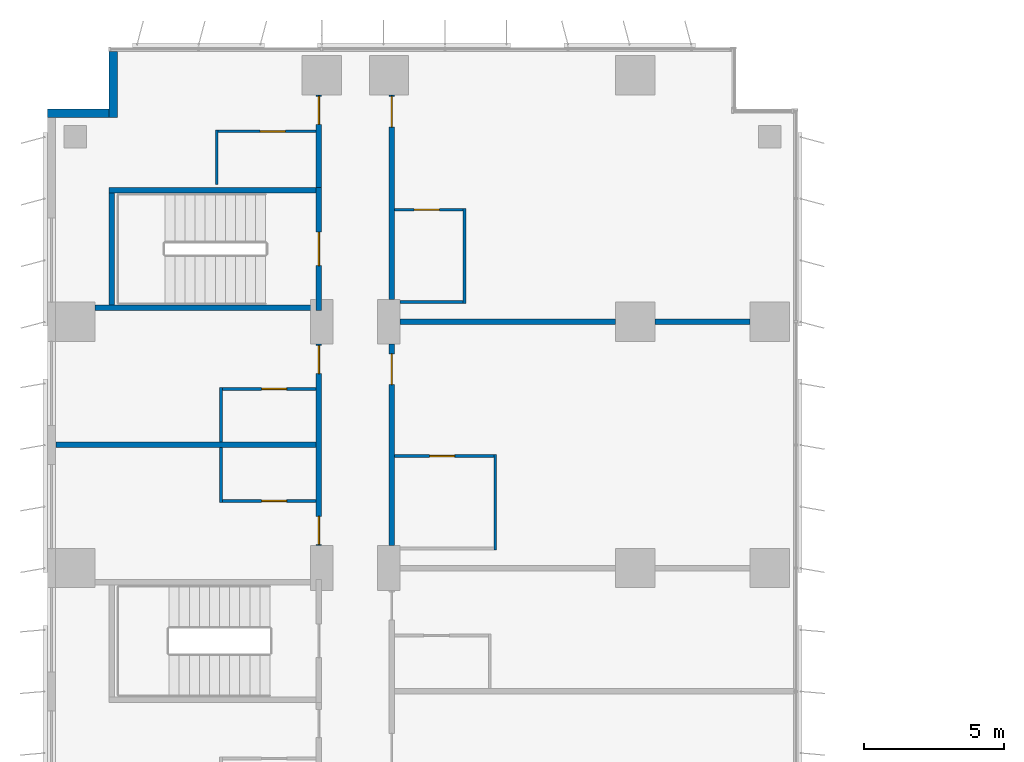
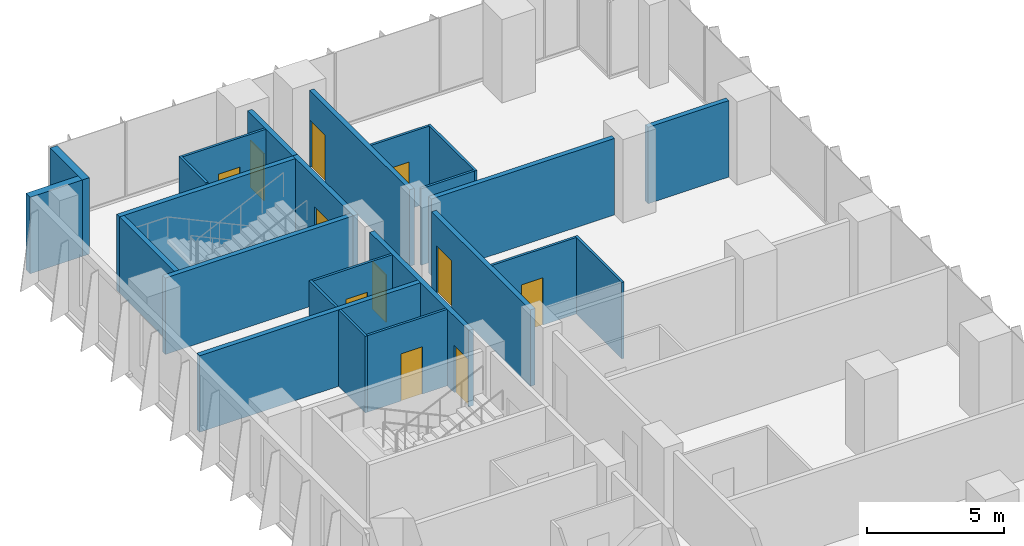
# One storey, part 19 of 24: 24 walls, 11 doors, 11 openings.
"""IFC4 building model written with IfcOpenShell, lengths in metres."""

from ifc_helpers import new_model, si_unit, direction, frame, frame_2d, origin, place, context, subcontext, project, spatial, rectangle, extrude, material, layer, layer_set, type_object, element, fill, save


model = new_model("IFC4")

# Units and contexts
model_context = context("Model", 3, precision=1e-05, world=origin(), true_north=direction((0.0, 1.0)))
body_context = subcontext(model_context, "Body", "Model", "MODEL_VIEW")
ifc_project = project(units=[si_unit("LENGTHUNIT", "METRE"), si_unit("AREAUNIT", "SQUARE_METRE"), si_unit("VOLUMEUNIT", "CUBIC_METRE"), si_unit("PLANEANGLEUNIT", "RADIAN"), si_unit("MASSUNIT", "GRAM", prefix="KILO")], contexts=[model_context])

# Site, building, storey
site_placement = place(None, origin())
site = spatial("IfcSite", under=ifc_project, at=site_placement, CompositionType="ELEMENT")
building_placement = place(site_placement, origin())
building = spatial("IfcBuilding", under=site, at=building_placement, Name="Kemantara Hotel Tower", CompositionType="ELEMENT")
storey_placement = place(building_placement, frame((0.0, 0.0, 48.800048828125)))
storey = spatial("IfcBuildingStorey", under=building, at=storey_placement, Name="L10", CompositionType="ELEMENT", Elevation=48.800048828125)

# Walls
ifc_material_1 = material(Name="Bronze anodised aluminium cladding on insulated steel stud wall", Category="steel")
ifc_layer_1 = layer(ifc_material_1, 0.300048828125)
ifc_layer_set_1 = layer_set([ifc_layer_1], Name="Bronze anodised aluminium cladding on insulated steel stud wall")
wall_type_1 = type_object("IfcWallType", Name="BRONZE METAL-CLAD EXTERNAL WALL 300", PredefinedType="STANDARD", material=ifc_layer_set_1)
wall_1_placement = place(storey_placement, frame((2.35009765625, 81.050048828125, 0.0), z_axis=(0.0, 0.0, 1.0), x_axis=(0.0, -1.0, 0.0)))
element("IfcWall", 1, at=wall_1_placement, inside=storey, type_object=wall_type_1, Name="EXTERNAL WALL L10 T1-R12", PredefinedType="STANDARD", context=body_context, shape_type="SweptSolid", body=[
    extrude(rectangle(XDim=2.35009765625, YDim=0.300048828125, at=frame_2d((1.175048828125, 0.0))), origin(), (0.0, 0.0, 1.0), 3.39990234375),
])
wall_2_placement = place(storey_placement, frame((2.199951171875, 78.85009765625, 0.0), z_axis=(0.0, 0.0, 1.0), x_axis=(-1.0, 0.0, 0.0)))
element("IfcWall", 2, at=wall_2_placement, inside=storey, type_object=wall_type_1, Name="EXTERNAL WALL L10 T1-R13", PredefinedType="STANDARD", context=body_context, shape_type="SweptSolid", body=[
    extrude(rectangle(XDim=2.199951171875, YDim=0.300048828125, at=frame_2d((1.10009765625, 0.0))), origin(), (0.0, 0.0, 1.0), 3.39990234375),
])

# Wall, openings, doors
ifc_material_2 = material(Name="Gypsum board partition, steel studs and mineral wool, 200 mm", Category="steel")
ifc_layer_2 = layer(ifc_material_2, 0.199951171875)
ifc_layer_set_2 = layer_set([ifc_layer_2], Name="Gypsum board partition, steel studs and mineral wool, 200 mm")
wall_type_2 = type_object("IfcWallType", Name="CORRIDOR WALL 200", PredefinedType="PARTITIONING", material=ifc_layer_set_2)
wall_3_placement = place(storey_placement, frame((9.699951171875, 63.400146484375, 0.0), z_axis=(0.0, 0.0, 1.0), x_axis=(0.0, 1.0, 0.0)))
wall_3 = element("IfcWall", 3, at=wall_3_placement, inside=storey, type_object=wall_type_2, Name="CORRIDOR WALL 200 034", PredefinedType="PARTITIONING", context=body_context, shape_type="SweptSolid", body=[
    extrude(rectangle(XDim=7.19970703125, YDim=0.199951171875, at=frame_2d((3.599853515625, 0.0))), origin(), (0.0, 0.0, 1.0), 3.39990234375),
])
opening_1_placement = place(wall_3_placement, frame((0.0498046875, 0.0, 0.0)))
opening_1 = element("IfcOpeningElement", 4, at=opening_1_placement, cuts=wall_3, Name="Opening F03-048", PredefinedType="OPENING", context=body_context, shape_type="SweptSolid", body=[
    extrude(rectangle(XDim=1.0, YDim=2.10009765625, at=frame_2d((0.5, 1.050048828125))), frame((0.0, 0.10986328125, 0.0), z_axis=(0.0, -1.0, 0.0), x_axis=(1.0, 0.0, 0.0)), (0.0, 0.0, 1.0), 0.219970703125),
])
opening_2_placement = place(wall_3_placement, frame((6.14990234375, 0.0, 0.0)))
opening_2 = element("IfcOpeningElement", 5, at=opening_2_placement, cuts=wall_3, Name="Opening F03-050", PredefinedType="OPENING", context=body_context, shape_type="SweptSolid", body=[
    extrude(rectangle(XDim=1.0, YDim=2.10009765625, at=frame_2d((0.5, 1.050048828125))), frame((0.0, 0.10986328125, 0.0), z_axis=(0.0, -1.0, 0.0), x_axis=(1.0, 0.0, 0.0)), (0.0, 0.0, 1.0), 0.219970703125),
])
ifc_material_3 = material(Name="Hardwood veneer door leaf with steel frame", Category="steel")
door_type_1 = type_object("IfcDoorType", Name="GUEST ROOM DOOR 1000 X 2100 FD30S", OperationType="NOTDEFINED", PredefinedType="DOOR", material=ifc_material_3)
door_1_placement = place(opening_1_placement, origin())
door_1 = element("IfcDoor", 6, at=door_1_placement, inside=storey, type_object=door_type_1, Name="GUEST ROOM DOOR F03-048", OperationType="SINGLE_SWING_LEFT", OverallHeight=2.10009765625, OverallWidth=1.0, PredefinedType="DOOR", context=body_context, shape_type="SweptSolid", body=[
    extrude(rectangle(XDim=1.0, YDim=2.10009765625, at=frame_2d((0.5, 1.050048828125))), frame((0.0, 0.02490234375, 0.0), z_axis=(0.0, -1.0, 0.0), x_axis=(1.0, 0.0, 0.0)), (0.0, 0.0, 1.0), 0.050048828125),
])
fill(opening_1, door_1)
door_2_placement = place(opening_2_placement, origin())
door_2 = element("IfcDoor", 7, at=door_2_placement, inside=storey, type_object=door_type_1, Name="GUEST ROOM DOOR F03-050", OperationType="SINGLE_SWING_RIGHT", OverallHeight=2.10009765625, OverallWidth=1.0, PredefinedType="DOOR", context=body_context, shape_type="SweptSolid", body=[
    extrude(rectangle(XDim=1.0, YDim=2.10009765625, at=frame_2d((0.5, 1.050048828125))), frame((0.0, 0.02490234375, 0.0), z_axis=(0.0, -1.0, 0.0), x_axis=(1.0, 0.0, 0.0)), (0.0, 0.0, 1.0), 0.050048828125),
])
fill(opening_2, door_2)

# Wall, opening, door
wall_4_placement = place(storey_placement, frame((9.699951171875, 76.199951171875, 0.0), z_axis=(0.0, 0.0, 1.0), x_axis=(0.0, 1.0, 0.0)))
wall_4 = element("IfcWall", 8, at=wall_4_placement, inside=storey, type_object=wall_type_2, Name="CORRIDOR WALL 200 035", PredefinedType="PARTITIONING", context=body_context, shape_type="SweptSolid", body=[
    extrude(rectangle(XDim=3.300048828125, YDim=0.199951171875, at=frame_2d((1.64990234375, 0.0))), origin(), (0.0, 0.0, 1.0), 3.39990234375),
])
opening_3_placement = place(wall_4_placement, frame((2.25, 0.0, 0.0)))
opening_3 = element("IfcOpeningElement", 9, at=opening_3_placement, cuts=wall_4, Name="Opening F03-052", PredefinedType="OPENING", context=body_context, shape_type="SweptSolid", body=[
    extrude(rectangle(XDim=1.0, YDim=2.10009765625, at=frame_2d((0.5, 1.050048828125))), frame((0.0, 0.10986328125, 0.0), z_axis=(0.0, -1.0, 0.0), x_axis=(1.0, 0.0, 0.0)), (0.0, 0.0, 1.0), 0.219970703125),
])
door_3_placement = place(opening_3_placement, origin())
door_3 = element("IfcDoor", 10, at=door_3_placement, inside=storey, type_object=door_type_1, Name="GUEST ROOM DOOR F03-052", OperationType="SINGLE_SWING_RIGHT", OverallHeight=2.10009765625, OverallWidth=1.0, PredefinedType="DOOR", context=body_context, shape_type="SweptSolid", body=[
    extrude(rectangle(XDim=1.0, YDim=2.10009765625, at=frame_2d((0.5, 1.050048828125))), frame((0.0, 0.02490234375, 0.0), z_axis=(0.0, -1.0, 0.0), x_axis=(1.0, 0.0, 0.0)), (0.0, 0.0, 1.0), 0.050048828125),
])
fill(opening_3, door_3)

wall_5_placement = place(storey_placement, frame((12.300048828125, 70.599853515625, 0.0), z_axis=(0.0, 0.0, 1.0), x_axis=(0.0, -1.0, 0.0)))
wall_5 = element("IfcWall", 11, at=wall_5_placement, inside=storey, type_object=wall_type_2, Name="CORRIDOR WALL 200 051", PredefinedType="PARTITIONING", context=body_context, shape_type="SweptSolid", body=[
    extrude(rectangle(XDim=7.19970703125, YDim=0.199951171875, at=frame_2d((3.599853515625, 0.0))), origin(), (0.0, 0.0, 1.0), 3.39990234375),
])
opening_4_placement = place(wall_5_placement, frame((0.349853515625, 0.0, 0.0)))
opening_4 = element("IfcOpeningElement", 12, at=opening_4_placement, cuts=wall_5, Name="Opening F03-064", PredefinedType="OPENING", context=body_context, shape_type="SweptSolid", body=[
    extrude(rectangle(XDim=1.10009765625, YDim=2.10009765625, at=frame_2d((0.550048828125, 1.050048828125))), frame((0.0, 0.10986328125, 0.0), z_axis=(0.0, -1.0, 0.0), x_axis=(1.0, 0.0, 0.0)), (0.0, 0.0, 1.0), 0.219970703125),
])
door_type_2 = type_object("IfcDoorType", Name="SUITE ENTRANCE DOOR 1100 X 2100 FD30S", OperationType="NOTDEFINED", PredefinedType="DOOR", material=ifc_material_3)
door_4_placement = place(opening_4_placement, origin())
door_4 = element("IfcDoor", 13, at=door_4_placement, inside=storey, type_object=door_type_2, Name="SUITE ENTRANCE DOOR F03-064", OperationType="SINGLE_SWING_LEFT", OverallHeight=2.10009765625, OverallWidth=1.10009765625, PredefinedType="DOOR", context=body_context, shape_type="SweptSolid", body=[
    extrude(rectangle(XDim=1.10009765625, YDim=2.10009765625, at=frame_2d((0.550048828125, 1.050048828125))), frame((0.0, 0.02490234375, 0.0), z_axis=(0.0, -1.0, 0.0), x_axis=(1.0, 0.0, 0.0)), (0.0, 0.0, 1.0), 0.050048828125),
])
fill(opening_4, door_4)

wall_6_placement = place(storey_placement, frame((12.300048828125, 79.5, 0.0), z_axis=(0.0, 0.0, 1.0), x_axis=(0.0, -1.0, 0.0)))
wall_6 = element("IfcWall", 14, at=wall_6_placement, inside=storey, type_object=wall_type_2, Name="CORRIDOR WALL 200 052", PredefinedType="PARTITIONING", context=body_context, shape_type="SweptSolid", body=[
    extrude(rectangle(XDim=7.2998046875, YDim=0.199951171875, at=frame_2d((3.64990234375, 0.0))), origin(), (0.0, 0.0, 1.0), 3.39990234375),
])
opening_5_placement = place(wall_6_placement, frame((0.0498046875, 0.0, 0.0)))
opening_5 = element("IfcOpeningElement", 15, at=opening_5_placement, cuts=wall_6, Name="Opening F03-066", PredefinedType="OPENING", context=body_context, shape_type="SweptSolid", body=[
    extrude(rectangle(XDim=1.10009765625, YDim=2.10009765625, at=frame_2d((0.550048828125, 1.050048828125))), frame((0.0, 0.10986328125, 0.0), z_axis=(0.0, -1.0, 0.0), x_axis=(1.0, 0.0, 0.0)), (0.0, 0.0, 1.0), 0.219970703125),
])
door_5_placement = place(opening_5_placement, origin())
door_5 = element("IfcDoor", 16, at=door_5_placement, inside=storey, type_object=door_type_2, Name="SUITE ENTRANCE DOOR F03-066", OperationType="SINGLE_SWING_LEFT", OverallHeight=2.10009765625, OverallWidth=1.10009765625, PredefinedType="DOOR", context=body_context, shape_type="SweptSolid", body=[
    extrude(rectangle(XDim=1.10009765625, YDim=2.10009765625, at=frame_2d((0.550048828125, 1.050048828125))), frame((0.0, 0.02490234375, 0.0), z_axis=(0.0, -1.0, 0.0), x_axis=(1.0, 0.0, 0.0)), (0.0, 0.0, 1.0), 0.050048828125),
])
fill(opening_5, door_5)

ifc_material_4 = material(Name="Concrete fc 40 MPa", Category="concrete")
ifc_layer_3 = layer(ifc_material_4, 0.199951171875)
ifc_layer_set_3 = layer_set([ifc_layer_3], Name="Concrete fc 40 MPa")
wall_type_3 = type_object("IfcWallType", Name="Concrete stair wall 200 mm", PredefinedType="SHEAR", material=ifc_layer_set_3)
wall_7_placement = place(storey_placement, frame((9.699951171875, 71.800048828125, 0.0), z_axis=(0.0, 0.0, 1.0), x_axis=(0.0, 1.0, 0.0)))
wall_7 = element("IfcWall", 17, at=wall_7_placement, inside=storey, type_object=wall_type_3, Name="Stair ST6 enclosure wall with door", PredefinedType="SHEAR", context=body_context, shape_type="SweptSolid", body=[
    extrude(rectangle(XDim=4.39990234375, YDim=0.199951171875, at=frame_2d((2.199951171875, 0.0))), origin(), (0.0, 0.0, 1.0), 3.39990234375),
])
opening_6_placement = place(wall_7_placement, frame((1.60009765625, 0.0, 0.0)))
opening_6 = element("IfcOpeningElement", 18, at=opening_6_placement, cuts=wall_7, Name="Opening ST6-C", PredefinedType="OPENING", context=body_context, shape_type="SweptSolid", body=[
    extrude(rectangle(XDim=1.199951171875, YDim=2.10009765625, at=frame_2d((0.60009765625, 1.050048828125))), frame((0.0, 0.10986328125, 0.0), z_axis=(0.0, -1.0, 0.0), x_axis=(1.0, 0.0, 0.0)), (0.0, 0.0, 1.0), 0.219970703125),
])
ifc_material_5 = material(Name="Steel fire door", Category="steel")
door_type_3 = type_object("IfcDoorType", Name="Fire door FD90 1200 x 2100", OperationType="NOTDEFINED", PredefinedType="DOOR", material=ifc_material_5)
door_6_placement = place(opening_6_placement, origin())
door_6 = element("IfcDoor", 19, at=door_6_placement, inside=storey, type_object=door_type_3, Name="Stair ST6 door", OperationType="SINGLE_SWING_RIGHT", OverallHeight=2.10009765625, OverallWidth=1.199951171875, PredefinedType="DOOR", context=body_context, shape_type="SweptSolid", body=[
    extrude(rectangle(XDim=1.199951171875, YDim=2.10009765625, at=frame_2d((0.60009765625, 1.050048828125))), frame((0.0, 0.02490234375, 0.0), z_axis=(0.0, -1.0, 0.0), x_axis=(1.0, 0.0, 0.0)), (0.0, 0.0, 1.0), 0.050048828125),
])
fill(opening_6, door_6)

# Walls
wall_8_placement = place(storey_placement, frame((2.199951171875, 76.10009765625, 0.0), z_axis=(0.0, 0.0, 1.0), x_axis=(1.0, 0.0, 0.0)))
element("IfcWall", 20, at=wall_8_placement, inside=storey, type_object=wall_type_3, Name="Stair ST6 enclosure wall N", PredefinedType="SHEAR", context=body_context, shape_type="SweptSolid", body=[
    extrude(rectangle(XDim=7.400146484375, YDim=0.199951171875, at=frame_2d((3.7001953125, 0.0))), origin(), (0.0, 0.0, 1.0), 3.39990234375),
])
wall_9_placement = place(storey_placement, frame((1.699951171875, 71.89990234375, 0.0), z_axis=(0.0, 0.0, 1.0), x_axis=(1.0, 0.0, 0.0)))
element("IfcWall", 21, at=wall_9_placement, inside=storey, type_object=wall_type_3, Name="Stair ST6 enclosure wall S", PredefinedType="SHEAR", context=body_context, shape_type="SweptSolid", body=[
    extrude(rectangle(XDim=7.900146484375, YDim=0.199951171875, at=frame_2d((3.9501953125, 0.0))), origin(), (0.0, 0.0, 1.0), 3.39990234375),
])
wall_10_placement = place(storey_placement, frame((2.300048828125, 72.0, 0.0), z_axis=(0.0, 0.0, 1.0), x_axis=(0.0, 1.0, 0.0)))
element("IfcWall", 22, at=wall_10_placement, inside=storey, type_object=wall_type_3, Name="Stair ST6 enclosure wall W", PredefinedType="SHEAR", context=body_context, shape_type="SweptSolid", body=[
    extrude(rectangle(XDim=4.0, YDim=0.199951171875, at=frame_2d((2.0, 0.0))), origin(), (0.0, 0.0, 1.0), 3.39990234375),
])
ifc_layer_4 = layer(ifc_material_2, 0.199951171875)
ifc_layer_set_4 = layer_set([ifc_layer_4], Name="Gypsum board partition, steel studs and mineral wool, 200 mm")
wall_type_4 = type_object("IfcWallType", Name="GUEST ROOM PARTY WALL 200", PredefinedType="PARTITIONING", material=ifc_layer_set_4)
wall_11_placement = place(storey_placement, frame((0.31005859375, 67.0, 0.0), z_axis=(0.0, 0.0, 1.0), x_axis=(1.0, 0.0, 0.0)))
element("IfcWall", 23, at=wall_11_placement, inside=storey, type_object=wall_type_4, Name="GUEST ROOM PARTY WALL 200 045", PredefinedType="PARTITIONING", context=body_context, shape_type="SweptSolid", body=[
    extrude(rectangle(XDim=9.2900390625, YDim=0.199951171875, at=frame_2d((4.64501953125, 0.0))), origin(), (0.0, 0.0, 1.0), 3.39990234375),
])
wall_12_placement = place(storey_placement, frame((12.60009765625, 71.39990234375, 0.0), z_axis=(0.0, 0.0, 1.0), x_axis=(1.0, 0.0, 0.0)))
element("IfcWall", 24, at=wall_12_placement, inside=storey, type_object=wall_type_4, Name="GUEST ROOM PARTY WALL 200 060", PredefinedType="PARTITIONING", context=body_context, shape_type="SweptSolid", body=[
    extrude(rectangle(XDim=7.69970703125, YDim=0.199951171875, at=frame_2d((3.849853515625, 0.0))), origin(), (0.0, 0.0, 1.0), 3.39990234375),
])
wall_13_placement = place(storey_placement, frame((21.7001953125, 71.39990234375, 0.0), z_axis=(0.0, 0.0, 1.0), x_axis=(1.0, 0.0, 0.0)))
element("IfcWall", 25, at=wall_13_placement, inside=storey, type_object=wall_type_4, Name="GUEST ROOM PARTY WALL 200 061", PredefinedType="PARTITIONING", context=body_context, shape_type="SweptSolid", body=[
    extrude(rectangle(XDim=3.399658203125, YDim=0.199951171875, at=frame_2d((1.69970703125, 0.0))), origin(), (0.0, 0.0, 1.0), 3.39990234375),
])
ifc_material_6 = material(Name="Gypsum board partition on steel studs, 100 mm", Category="steel")
ifc_layer_5 = layer(ifc_material_6, 0.10009765625)
ifc_layer_set_5 = layer_set([ifc_layer_5], Name="Gypsum board partition on steel studs, 100 mm")
wall_type_5 = type_object("IfcWallType", Name="ROOM PARTITION 100", PredefinedType="PARTITIONING", material=ifc_layer_set_5)
for number, where, z_axis, x_axis, name in (
    (26, (6.050048828125, 76.300048828125, 0.0), (0.0, 0.0, 1.0), (0.0, 1.0, 0.0), "ROOM PARTITION 100 092"),
    (27, (6.199951171875, 64.949951171875, 0.0), (0.0, 0.0, 1.0), (0.0, 1.0, 0.0), "ROOM PARTITION 100 101"),
    (28, (6.199951171875, 67.10009765625, 0.0), (0.0, 0.0, 1.0), (0.0, 1.0, 0.0), "ROOM PARTITION 100 102"),
):
    element("IfcWall", number, at=place(storey_placement, frame(where, z_axis=z_axis, x_axis=x_axis)), inside=storey, type_object=wall_type_5, Name=name, PredefinedType="PARTITIONING", context=body_context, shape_type="SweptSolid", body=[
        extrude(rectangle(XDim=1.949951171875, YDim=0.10009765625, at=frame_2d((0.97509765625, 0.0))), origin(), (0.0, 0.0, 1.0), 3.39990234375),
    ])

# Wall, opening, door
wall_14_placement = place(storey_placement, frame((6.25, 65.0, 0.0), z_axis=(0.0, 0.0, 1.0), x_axis=(1.0, 0.0, 0.0)))
wall_14 = element("IfcWall", 29, at=wall_14_placement, inside=storey, type_object=wall_type_5, Name="ROOM PARTITION 100 114", PredefinedType="PARTITIONING", context=body_context, shape_type="SweptSolid", body=[
    extrude(rectangle(XDim=3.35009765625, YDim=0.10009765625, at=frame_2d((1.675048828125, 0.0))), origin(), (0.0, 0.0, 1.0), 3.39990234375),
])
opening_7_placement = place(wall_14_placement, frame((1.39990234375, 0.0, 0.0)))
opening_7 = element("IfcOpeningElement", 30, at=opening_7_placement, cuts=wall_14, Name="Opening F03-049", PredefinedType="OPENING", context=body_context, shape_type="SweptSolid", body=[
    extrude(rectangle(XDim=0.89990234375, YDim=2.10009765625, at=frame_2d((0.449951171875, 1.050048828125))), frame((0.0, 0.06005859375, 0.0), z_axis=(0.0, -1.0, 0.0), x_axis=(1.0, 0.0, 0.0)), (0.0, 0.0, 1.0), 0.1201171875),
])
door_type_4 = type_object("IfcDoorType", Name="BATHROOM DOOR 900 X 2100", OperationType="NOTDEFINED", PredefinedType="DOOR", material=ifc_material_3)
door_7_placement = place(opening_7_placement, origin())
door_7 = element("IfcDoor", 31, at=door_7_placement, inside=storey, type_object=door_type_4, Name="BATHROOM DOOR F03-049", OperationType="SINGLE_SWING_RIGHT", OverallHeight=2.10009765625, OverallWidth=0.89990234375, PredefinedType="DOOR", context=body_context, shape_type="SweptSolid", body=[
    extrude(rectangle(XDim=0.89990234375, YDim=2.10009765625, at=frame_2d((0.449951171875, 1.050048828125))), frame((0.0, 0.02490234375, 0.0), z_axis=(0.0, -1.0, 0.0), x_axis=(1.0, 0.0, 0.0)), (0.0, 0.0, 1.0), 0.050048828125),
])
fill(opening_7, door_7)

wall_15_placement = place(storey_placement, frame((9.60009765625, 69.0, 0.0), z_axis=(0.0, 0.0, 1.0), x_axis=(-1.0, 0.0, 0.0)))
wall_15 = element("IfcWall", 32, at=wall_15_placement, inside=storey, type_object=wall_type_5, Name="ROOM PARTITION 100 115", PredefinedType="PARTITIONING", context=body_context, shape_type="SweptSolid", body=[
    extrude(rectangle(XDim=3.35009765625, YDim=0.10009765625, at=frame_2d((1.675048828125, 0.0))), origin(), (0.0, 0.0, 1.0), 3.39990234375),
])
opening_8_placement = place(wall_15_placement, frame((1.050048828125, 0.0, 0.0)))
opening_8 = element("IfcOpeningElement", 33, at=opening_8_placement, cuts=wall_15, Name="Opening F03-051", PredefinedType="OPENING", context=body_context, shape_type="SweptSolid", body=[
    extrude(rectangle(XDim=0.89990234375, YDim=2.10009765625, at=frame_2d((0.449951171875, 1.050048828125))), frame((0.0, 0.06005859375, 0.0), z_axis=(0.0, -1.0, 0.0), x_axis=(1.0, 0.0, 0.0)), (0.0, 0.0, 1.0), 0.1201171875),
])
door_8_placement = place(opening_8_placement, origin())
door_8 = element("IfcDoor", 34, at=door_8_placement, inside=storey, type_object=door_type_4, Name="BATHROOM DOOR F03-051", OperationType="SINGLE_SWING_LEFT", OverallHeight=2.10009765625, OverallWidth=0.89990234375, PredefinedType="DOOR", context=body_context, shape_type="SweptSolid", body=[
    extrude(rectangle(XDim=0.89990234375, YDim=2.10009765625, at=frame_2d((0.449951171875, 1.050048828125))), frame((0.0, 0.02490234375, 0.0), z_axis=(0.0, -1.0, 0.0), x_axis=(1.0, 0.0, 0.0)), (0.0, 0.0, 1.0), 0.050048828125),
])
fill(opening_8, door_8)

wall_16_placement = place(storey_placement, frame((9.60009765625, 78.199951171875, 0.0), z_axis=(0.0, 0.0, 1.0), x_axis=(-1.0, 0.0, 0.0)))
wall_16 = element("IfcWall", 35, at=wall_16_placement, inside=storey, type_object=wall_type_5, Name="ROOM PARTITION 100 116", PredefinedType="PARTITIONING", context=body_context, shape_type="SweptSolid", body=[
    extrude(rectangle(XDim=3.5, YDim=0.10009765625, at=frame_2d((1.75, 0.0))), origin(), (0.0, 0.0, 1.0), 3.39990234375),
])
opening_9_placement = place(wall_16_placement, frame((1.10009765625, 0.0, 0.0)))
opening_9 = element("IfcOpeningElement", 36, at=opening_9_placement, cuts=wall_16, Name="Opening F03-053", PredefinedType="OPENING", context=body_context, shape_type="SweptSolid", body=[
    extrude(rectangle(XDim=0.89990234375, YDim=2.10009765625, at=frame_2d((0.449951171875, 1.050048828125))), frame((0.0, 0.06005859375, 0.0), z_axis=(0.0, -1.0, 0.0), x_axis=(1.0, 0.0, 0.0)), (0.0, 0.0, 1.0), 0.1201171875),
])
door_9_placement = place(opening_9_placement, origin())
door_9 = element("IfcDoor", 37, at=door_9_placement, inside=storey, type_object=door_type_4, Name="BATHROOM DOOR F03-053", OperationType="SINGLE_SWING_LEFT", OverallHeight=2.10009765625, OverallWidth=0.89990234375, PredefinedType="DOOR", context=body_context, shape_type="SweptSolid", body=[
    extrude(rectangle(XDim=0.89990234375, YDim=2.10009765625, at=frame_2d((0.449951171875, 1.050048828125))), frame((0.0, 0.02490234375, 0.0), z_axis=(0.0, -1.0, 0.0), x_axis=(1.0, 0.0, 0.0)), (0.0, 0.0, 1.0), 0.050048828125),
])
fill(opening_9, door_9)

# Wall
wall_17_placement = place(storey_placement, frame((16.0, 63.25, 0.0), z_axis=(0.0, 0.0, 1.0), x_axis=(0.0, 1.0, 0.0)))
element("IfcWall", 38, at=wall_17_placement, inside=storey, type_object=wall_type_5, Name="ROOM PARTITION 100 121", PredefinedType="PARTITIONING", context=body_context, shape_type="SweptSolid", body=[
    extrude(rectangle(XDim=3.39990234375, YDim=0.10009765625, at=frame_2d((1.699951171875, 0.0))), origin(), (0.0, 0.0, 1.0), 3.39990234375),
])

# Wall, opening, door
wall_18_placement = place(storey_placement, frame((15.949951171875, 66.60009765625, 0.0), z_axis=(0.0, 0.0, 1.0), x_axis=(-1.0, 0.0, 0.0)))
wall_18 = element("IfcWall", 39, at=wall_18_placement, inside=storey, type_object=wall_type_5, Name="ROOM PARTITION 100 128", PredefinedType="PARTITIONING", context=body_context, shape_type="SweptSolid", body=[
    extrude(rectangle(XDim=3.550048828125, YDim=0.10009765625, at=frame_2d((1.77490234375, 0.0))), origin(), (0.0, 0.0, 1.0), 3.39990234375),
])
opening_10_placement = place(wall_18_placement, frame((1.39990234375, 0.0, 0.0)))
opening_10 = element("IfcOpeningElement", 40, at=opening_10_placement, cuts=wall_18, Name="Opening F03-065", PredefinedType="OPENING", context=body_context, shape_type="SweptSolid", body=[
    extrude(rectangle(XDim=0.89990234375, YDim=2.10009765625, at=frame_2d((0.449951171875, 1.050048828125))), frame((0.0, 0.06005859375, 0.0), z_axis=(0.0, -1.0, 0.0), x_axis=(1.0, 0.0, 0.0)), (0.0, 0.0, 1.0), 0.1201171875),
])
door_10_placement = place(opening_10_placement, origin())
door_10 = element("IfcDoor", 41, at=door_10_placement, inside=storey, type_object=door_type_4, Name="BATHROOM DOOR F03-065", OperationType="SINGLE_SWING_RIGHT", OverallHeight=2.10009765625, OverallWidth=0.89990234375, PredefinedType="DOOR", context=body_context, shape_type="SweptSolid", body=[
    extrude(rectangle(XDim=0.89990234375, YDim=2.10009765625, at=frame_2d((0.449951171875, 1.050048828125))), frame((0.0, 0.02490234375, 0.0), z_axis=(0.0, -1.0, 0.0), x_axis=(1.0, 0.0, 0.0)), (0.0, 0.0, 1.0), 0.050048828125),
])
fill(opening_10, door_10)

# Walls
wall_19_placement = place(storey_placement, frame((14.89990234375, 72.050048828125, 0.0), z_axis=(0.0, 0.0, 1.0), x_axis=(0.0, 1.0, 0.0)))
element("IfcWall", 42, at=wall_19_placement, inside=storey, type_object=wall_type_5, Name="ROOM PARTITION 100 129", PredefinedType="PARTITIONING", context=body_context, shape_type="SweptSolid", body=[
    extrude(rectangle(XDim=3.39990234375, YDim=0.10009765625, at=frame_2d((1.699951171875, 0.0))), origin(), (0.0, 0.0, 1.0), 3.39990234375),
])
wall_20_placement = place(storey_placement, frame((12.60009765625, 72.10009765625, 0.0), z_axis=(0.0, 0.0, 1.0), x_axis=(1.0, 0.0, 0.0)))
element("IfcWall", 43, at=wall_20_placement, inside=storey, type_object=wall_type_5, Name="ROOM PARTITION 100 130", PredefinedType="PARTITIONING", context=body_context, shape_type="SweptSolid", body=[
    extrude(rectangle(XDim=2.25, YDim=0.10009765625, at=frame_2d((1.125, 0.0))), origin(), (0.0, 0.0, 1.0), 3.39990234375),
])

# Wall, opening, door
wall_21_placement = place(storey_placement, frame((14.85009765625, 75.39990234375, 0.0), z_axis=(0.0, 0.0, 1.0), x_axis=(-1.0, 0.0, 0.0)))
wall_21 = element("IfcWall", 44, at=wall_21_placement, inside=storey, type_object=wall_type_5, Name="ROOM PARTITION 100 131", PredefinedType="PARTITIONING", context=body_context, shape_type="SweptSolid", body=[
    extrude(rectangle(XDim=2.4501953125, YDim=0.10009765625, at=frame_2d((1.22509765625, 0.0))), origin(), (0.0, 0.0, 1.0), 3.39990234375),
])
opening_11_placement = place(wall_21_placement, frame((0.85009765625, 0.0, 0.0)))
opening_11 = element("IfcOpeningElement", 45, at=opening_11_placement, cuts=wall_21, Name="Opening F03-067", PredefinedType="OPENING", context=body_context, shape_type="SweptSolid", body=[
    extrude(rectangle(XDim=0.89990234375, YDim=2.10009765625, at=frame_2d((0.449951171875, 1.050048828125))), frame((0.0, 0.06005859375, 0.0), z_axis=(0.0, -1.0, 0.0), x_axis=(1.0, 0.0, 0.0)), (0.0, 0.0, 1.0), 0.1201171875),
])
door_11_placement = place(opening_11_placement, origin())
door_11 = element("IfcDoor", 46, at=door_11_placement, inside=storey, type_object=door_type_4, Name="BATHROOM DOOR F03-067", OperationType="SINGLE_SWING_RIGHT", OverallHeight=2.10009765625, OverallWidth=0.89990234375, PredefinedType="DOOR", context=body_context, shape_type="SweptSolid", body=[
    extrude(rectangle(XDim=0.89990234375, YDim=2.10009765625, at=frame_2d((0.449951171875, 1.050048828125))), frame((0.0, 0.02490234375, 0.0), z_axis=(0.0, -1.0, 0.0), x_axis=(1.0, 0.0, 0.0)), (0.0, 0.0, 1.0), 0.050048828125),
])
fill(opening_11, door_11)

save(model, "model.ifc")
